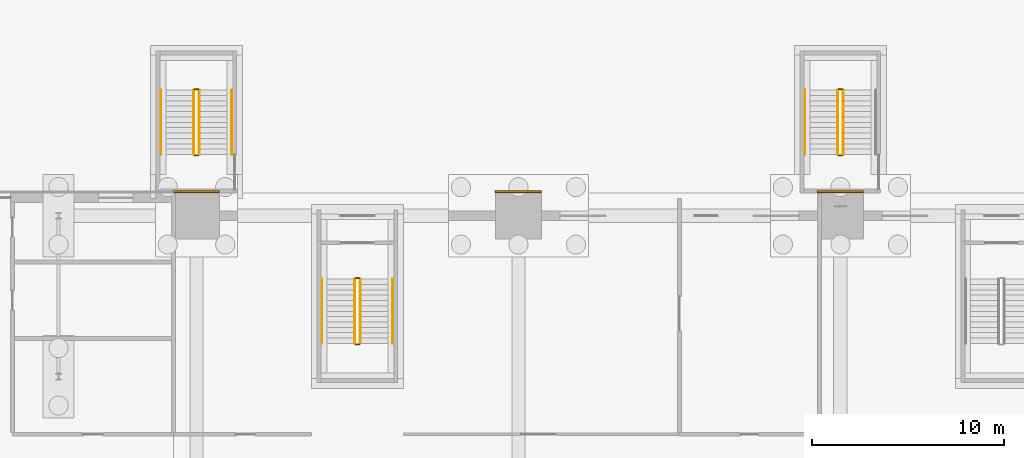
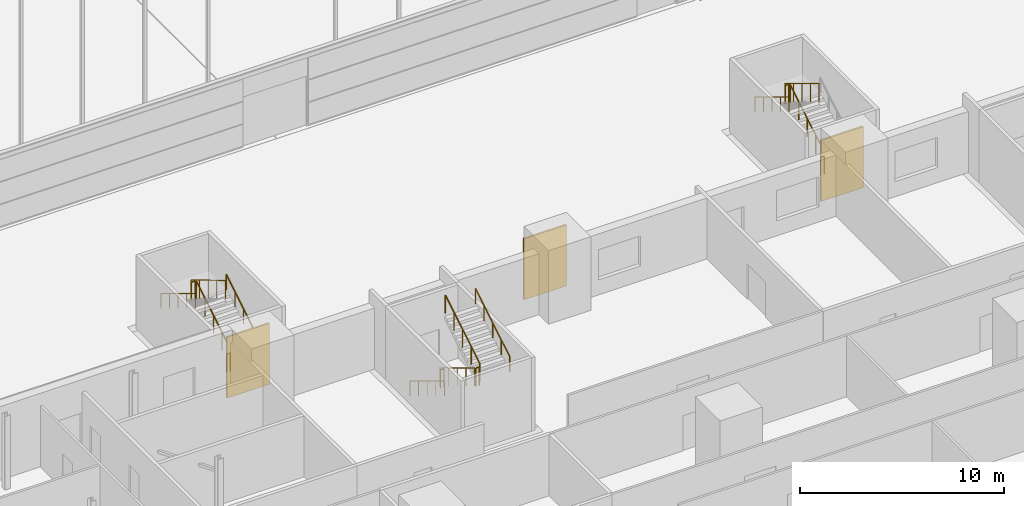
# One storey, part 115 of 139: 17 railings, 3 coverings.
"""IFC4 building model written with IfcOpenShell, lengths in metres."""

from ifc_helpers import new_model, si_unit, direction, frame, origin, origin_2d, place, context, subcontext, project, spatial, rectangle, circle, extrude, material, layer, layer_set, type_object, element, save


model = new_model("IFC4")

# Units and contexts
model_context = context("Model", 3, precision=1e-05, world=origin(), true_north=direction((0.0, 1.0)))
body_context = subcontext(model_context, "Body", "Model", "MODEL_VIEW")
ifc_project = project(units=[si_unit("LENGTHUNIT", "METRE"), si_unit("AREAUNIT", "SQUARE_METRE"), si_unit("VOLUMEUNIT", "CUBIC_METRE"), si_unit("PLANEANGLEUNIT", "RADIAN"), si_unit("MASSUNIT", "GRAM", prefix="KILO")], contexts=[model_context])

# Site, building, storey
site_placement = place(None, origin())
site = spatial("IfcSite", under=ifc_project, at=site_placement, CompositionType="ELEMENT")
building_placement = place(site_placement, origin())
building = spatial("IfcBuilding", under=site, at=building_placement, Name="Verrick Yard Athletic Hall", CompositionType="ELEMENT")
storey_placement = place(building_placement, origin())
storey = spatial("IfcBuildingStorey", under=building, at=storey_placement, Name="L00", CompositionType="ELEMENT", Elevation=0.0)

# Coverings
ifc_material_1 = material(Name="Rusticated limestone cladding", Category="masonry")
ifc_layer = layer(ifc_material_1, 0.10009765625)
ifc_layer_set = layer_set([ifc_layer], Name="Pier base cladding")
covering_type = type_object("IfcCoveringType", Name="Pier base cladding", PredefinedType="CLADDING", material=ifc_layer_set)
for number, where, z_axis, x_axis, name in (
    (1, (40.0, 54.050048828125, 0.0), (0.0, 0.0, 1.0), (1.0, 0.0, 0.0), "Pier base N1"),
    (2, (56.800048828125, 54.050048828125, 0.0), (0.0, 0.0, 1.0), (1.0, 0.0, 0.0), "Pier base N2"),
    (3, (73.60009765625, 54.050048828125, 0.0), (0.0, 0.0, 1.0), (1.0, 0.0, 0.0), "Pier base N3"),
):
    element("IfcCovering", number, at=place(storey_placement, frame(where, z_axis=z_axis, x_axis=x_axis)), inside=storey, type_object=covering_type, Name=name, PredefinedType="CLADDING", context=body_context, shape_type="SweptSolid", body=[
        extrude(rectangle(XDim=2.39990234375, YDim=0.10009765625, at=origin_2d()), origin(), (0.0, 0.0, 1.0), 3.64990234375),
    ])

# Railings
ifc_material_2 = material(Name="Stainless steel", Category="steel")
railing_type_1 = type_object("IfcRailingType", Name="Stair and core guard 1100", PredefinedType="GUARDRAIL", material=ifc_material_2)
railing_1_placement = place(storey_placement, frame((40.14990234375, 56.0, 0.169189453125)))
element("IfcRailing", 4, at=railing_1_placement, inside=storey, type_object=railing_type_1, Name="L00 North deck escape 1 stair guard 1", PredefinedType="GUARDRAIL", context=body_context, shape_type="SweptSolid", body=[
    extrude(circle(Radius=0.02392578125, at=origin_2d()), frame((0.0, 0.0, 1.076171875), z_axis=(0.0, 0.855836976705, 0.517245656632), x_axis=(-1.0, 0.0, 0.0)), (0.0, 0.0, 1.0), 3.926025390625),
    extrude(circle(Radius=0.02099609375, at=origin_2d()), origin(), (0.0, 0.0, 1.0), 1.052001953125),
    extrude(circle(Radius=0.02099609375, at=origin_2d()), frame((0.0, 0.840087890625, 0.5078125)), (0.0, 0.0, 1.0), 1.052001953125),
    extrude(circle(Radius=0.02099609375, at=origin_2d()), frame((0.0, 1.68017578125, 1.015380859375)), (0.0, 0.0, 1.0), 1.052001953125),
    extrude(circle(Radius=0.02099609375, at=origin_2d()), frame((0.0, 2.52001953125, 1.52294921875)), (0.0, 0.0, 1.0), 1.052001953125),
    extrude(circle(Radius=0.02099609375, at=origin_2d()), frame((0.0, 3.360107421875, 2.03076171875)), (0.0, 0.0, 1.0), 1.052001953125),
])
railing_2_placement = place(storey_placement, frame((40.10009765625, 59.409912109375, 2.199951171875)))
element("IfcRailing", 5, at=railing_2_placement, inside=storey, type_object=railing_type_1, Name="L00 North deck escape 1 stair guard 2", PredefinedType="GUARDRAIL", context=body_context, shape_type="SweptSolid", body=[
    extrude(circle(Radius=0.02392578125, at=origin_2d()), frame((0.0, 0.0, 1.076171875), z_axis=(-1.0, 0.0, 0.0), x_axis=(0.0, -1.0, 0.0)), (0.0, 0.0, 1.0), 0.2001953125),
    extrude(circle(Radius=0.02099609375, at=origin_2d()), origin(), (0.0, 0.0, 1.0), 1.052001953125),
    extrude(circle(Radius=0.02099609375, at=origin_2d()), frame((-0.2001953125, 0.0, 0.0)), (0.0, 0.0, 1.0), 1.052001953125),
])
railing_3_placement = place(storey_placement, frame((39.85009765625, 59.360107421875, 2.369140625)))
element("IfcRailing", 6, at=railing_3_placement, inside=storey, type_object=railing_type_1, Name="L00 North deck escape 1 stair guard 3", PredefinedType="GUARDRAIL", context=body_context, shape_type="SweptSolid", body=[
    extrude(circle(Radius=0.02392578125, at=origin_2d()), frame((0.0, 0.0, 1.076171875), z_axis=(0.0, -0.855836976705, 0.517245656632), x_axis=(1.0, 0.0, 0.0)), (0.0, 0.0, 1.0), 3.926025390625),
    extrude(circle(Radius=0.02099609375, at=origin_2d()), origin(), (0.0, 0.0, 1.0), 1.052001953125),
    extrude(circle(Radius=0.02099609375, at=origin_2d()), frame((0.0, -0.840087890625, 0.5078125)), (0.0, 0.0, 1.0), 1.052001953125),
    extrude(circle(Radius=0.02099609375, at=origin_2d()), frame((0.0, -1.68017578125, 1.015380859375)), (0.0, 0.0, 1.0), 1.052001953125),
    extrude(circle(Radius=0.02099609375, at=origin_2d()), frame((0.0, -2.52001953125, 1.52294921875)), (0.0, 0.0, 1.0), 1.052001953125),
    extrude(circle(Radius=0.02099609375, at=origin_2d()), frame((0.0, -3.360107421875, 2.03076171875)), (0.0, 0.0, 1.0), 1.052001953125),
])
railing_4_placement = place(storey_placement, frame((40.10009765625, 55.949951171875, 0.0)))
element("IfcRailing", 7, at=railing_4_placement, inside=storey, type_object=railing_type_1, Name="L00 North deck escape 1 stair guard 4", PredefinedType="GUARDRAIL", context=body_context, shape_type="SweptSolid", body=[
    extrude(circle(Radius=0.02392578125, at=origin_2d()), frame((0.0, 0.0, 1.076171875), z_axis=(-1.0, 0.0, 0.0), x_axis=(0.0, -1.0, 0.0)), (0.0, 0.0, 1.0), 0.2001953125),
    extrude(circle(Radius=0.02099609375, at=origin_2d()), origin(), (0.0, 0.0, 1.0), 1.052001953125),
    extrude(circle(Radius=0.02099609375, at=origin_2d()), frame((-0.2001953125, 0.0, 0.0)), (0.0, 0.0, 1.0), 1.052001953125),
])
railing_5_placement = place(storey_placement, frame((73.75, 56.0, 0.169189453125)))
element("IfcRailing", 8, at=railing_5_placement, inside=storey, type_object=railing_type_1, Name="L00 North deck escape 3 stair guard 1", PredefinedType="GUARDRAIL", context=body_context, shape_type="SweptSolid", body=[
    extrude(circle(Radius=0.02392578125, at=origin_2d()), frame((0.0, 0.0, 1.076171875), z_axis=(0.0, 0.855836976705, 0.517245656632), x_axis=(-1.0, 0.0, 0.0)), (0.0, 0.0, 1.0), 3.926025390625),
    extrude(circle(Radius=0.02099609375, at=origin_2d()), origin(), (0.0, 0.0, 1.0), 1.052001953125),
    extrude(circle(Radius=0.02099609375, at=origin_2d()), frame((0.0, 0.840087890625, 0.5078125)), (0.0, 0.0, 1.0), 1.052001953125),
    extrude(circle(Radius=0.02099609375, at=origin_2d()), frame((0.0, 1.68017578125, 1.015380859375)), (0.0, 0.0, 1.0), 1.052001953125),
    extrude(circle(Radius=0.02099609375, at=origin_2d()), frame((0.0, 2.52001953125, 1.52294921875)), (0.0, 0.0, 1.0), 1.052001953125),
    extrude(circle(Radius=0.02099609375, at=origin_2d()), frame((0.0, 3.360107421875, 2.03076171875)), (0.0, 0.0, 1.0), 1.052001953125),
])
railing_6_placement = place(storey_placement, frame((73.699951171875, 59.409912109375, 2.199951171875)))
element("IfcRailing", 9, at=railing_6_placement, inside=storey, type_object=railing_type_1, Name="L00 North deck escape 3 stair guard 2", PredefinedType="GUARDRAIL", context=body_context, shape_type="SweptSolid", body=[
    extrude(circle(Radius=0.02392578125, at=origin_2d()), frame((0.0, 0.0, 1.076171875), z_axis=(-1.0, 0.0, 0.0), x_axis=(0.0, -1.0, 0.0)), (0.0, 0.0, 1.0), 0.199951171875),
    extrude(circle(Radius=0.02099609375, at=origin_2d()), origin(), (0.0, 0.0, 1.0), 1.052001953125),
    extrude(circle(Radius=0.02099609375, at=origin_2d()), frame((-0.199951171875, 0.0, 0.0)), (0.0, 0.0, 1.0), 1.052001953125),
])
railing_7_placement = place(storey_placement, frame((73.449951171875, 59.360107421875, 2.369140625)))
element("IfcRailing", 10, at=railing_7_placement, inside=storey, type_object=railing_type_1, Name="L00 North deck escape 3 stair guard 3", PredefinedType="GUARDRAIL", context=body_context, shape_type="SweptSolid", body=[
    extrude(circle(Radius=0.02392578125, at=origin_2d()), frame((0.0, 0.0, 1.076171875), z_axis=(0.0, -0.855836976705, 0.517245656632), x_axis=(1.0, 0.0, 0.0)), (0.0, 0.0, 1.0), 3.926025390625),
    extrude(circle(Radius=0.02099609375, at=origin_2d()), origin(), (0.0, 0.0, 1.0), 1.052001953125),
    extrude(circle(Radius=0.02099609375, at=origin_2d()), frame((0.0, -0.840087890625, 0.5078125)), (0.0, 0.0, 1.0), 1.052001953125),
    extrude(circle(Radius=0.02099609375, at=origin_2d()), frame((0.0, -1.68017578125, 1.015380859375)), (0.0, 0.0, 1.0), 1.052001953125),
    extrude(circle(Radius=0.02099609375, at=origin_2d()), frame((0.0, -2.52001953125, 1.52294921875)), (0.0, 0.0, 1.0), 1.052001953125),
    extrude(circle(Radius=0.02099609375, at=origin_2d()), frame((0.0, -3.360107421875, 2.03076171875)), (0.0, 0.0, 1.0), 1.052001953125),
])
railing_8_placement = place(storey_placement, frame((73.699951171875, 55.949951171875, 0.0)))
element("IfcRailing", 11, at=railing_8_placement, inside=storey, type_object=railing_type_1, Name="L00 North deck escape 3 stair guard 4", PredefinedType="GUARDRAIL", context=body_context, shape_type="SweptSolid", body=[
    extrude(circle(Radius=0.02392578125, at=origin_2d()), frame((0.0, 0.0, 1.076171875), z_axis=(-1.0, 0.0, 0.0), x_axis=(0.0, -1.0, 0.0)), (0.0, 0.0, 1.0), 0.199951171875),
    extrude(circle(Radius=0.02099609375, at=origin_2d()), origin(), (0.0, 0.0, 1.0), 1.052001953125),
    extrude(circle(Radius=0.02099609375, at=origin_2d()), frame((-0.199951171875, 0.0, 0.0)), (0.0, 0.0, 1.0), 1.052001953125),
])
railing_9_placement = place(storey_placement, frame((48.25, 49.5, 0.169189453125)))
element("IfcRailing", 12, at=railing_9_placement, inside=storey, type_object=railing_type_1, Name="L00 North plinth exit 1 stair guard 1", PredefinedType="GUARDRAIL", context=body_context, shape_type="SweptSolid", body=[
    extrude(circle(Radius=0.02392578125, at=origin_2d()), frame((0.0, 0.0, 1.076171875), z_axis=(0.0, -0.855836976705, 0.517245656632), x_axis=(1.0, 0.0, 0.0)), (0.0, 0.0, 1.0), 3.926025390625),
    extrude(circle(Radius=0.02099609375, at=origin_2d()), origin(), (0.0, 0.0, 1.0), 1.052001953125),
    extrude(circle(Radius=0.02099609375, at=origin_2d()), frame((0.0, -0.840087890625, 0.5078125)), (0.0, 0.0, 1.0), 1.052001953125),
    extrude(circle(Radius=0.02099609375, at=origin_2d()), frame((0.0, -1.68017578125, 1.015380859375)), (0.0, 0.0, 1.0), 1.052001953125),
    extrude(circle(Radius=0.02099609375, at=origin_2d()), frame((0.0, -2.52001953125, 1.52294921875)), (0.0, 0.0, 1.0), 1.052001953125),
    extrude(circle(Radius=0.02099609375, at=origin_2d()), frame((0.0, -3.360107421875, 2.03076171875)), (0.0, 0.0, 1.0), 1.052001953125),
])
railing_10_placement = place(storey_placement, frame((48.300048828125, 46.090087890625, 2.199951171875)))
element("IfcRailing", 13, at=railing_10_placement, inside=storey, type_object=railing_type_1, Name="L00 North plinth exit 1 stair guard 2", PredefinedType="GUARDRAIL", context=body_context, shape_type="SweptSolid", body=[
    extrude(circle(Radius=0.02392578125, at=origin_2d()), frame((0.0, 0.0, 1.076171875), z_axis=(1.0, 0.0, 0.0), x_axis=(0.0, 1.0, 0.0)), (0.0, 0.0, 1.0), 0.199951171875),
    extrude(circle(Radius=0.02099609375, at=origin_2d()), origin(), (0.0, 0.0, 1.0), 1.052001953125),
    extrude(circle(Radius=0.02099609375, at=origin_2d()), frame((0.199951171875, 0.0, 0.0)), (0.0, 0.0, 1.0), 1.052001953125),
])
railing_11_placement = place(storey_placement, frame((48.550048828125, 46.139892578125, 2.369140625)))
element("IfcRailing", 14, at=railing_11_placement, inside=storey, type_object=railing_type_1, Name="L00 North plinth exit 1 stair guard 3", PredefinedType="GUARDRAIL", context=body_context, shape_type="SweptSolid", body=[
    extrude(circle(Radius=0.02392578125, at=origin_2d()), frame((0.0, 0.0, 1.076171875), z_axis=(0.0, 0.855836976705, 0.517245656632), x_axis=(-1.0, 0.0, 0.0)), (0.0, 0.0, 1.0), 3.926025390625),
    extrude(circle(Radius=0.02099609375, at=origin_2d()), origin(), (0.0, 0.0, 1.0), 1.052001953125),
    extrude(circle(Radius=0.02099609375, at=origin_2d()), frame((0.0, 0.840087890625, 0.5078125)), (0.0, 0.0, 1.0), 1.052001953125),
    extrude(circle(Radius=0.02099609375, at=origin_2d()), frame((0.0, 1.68017578125, 1.015380859375)), (0.0, 0.0, 1.0), 1.052001953125),
    extrude(circle(Radius=0.02099609375, at=origin_2d()), frame((0.0, 2.52001953125, 1.52294921875)), (0.0, 0.0, 1.0), 1.052001953125),
    extrude(circle(Radius=0.02099609375, at=origin_2d()), frame((0.0, 3.360107421875, 2.03076171875)), (0.0, 0.0, 1.0), 1.052001953125),
])
railing_12_placement = place(storey_placement, frame((48.300048828125, 49.550048828125, 0.0)))
element("IfcRailing", 15, at=railing_12_placement, inside=storey, type_object=railing_type_1, Name="L00 North plinth exit 1 stair guard 4", PredefinedType="GUARDRAIL", context=body_context, shape_type="SweptSolid", body=[
    extrude(circle(Radius=0.02392578125, at=origin_2d()), frame((0.0, 0.0, 1.076171875), z_axis=(1.0, 0.0, 0.0), x_axis=(0.0, 1.0, 0.0)), (0.0, 0.0, 1.0), 0.199951171875),
    extrude(circle(Radius=0.02099609375, at=origin_2d()), origin(), (0.0, 0.0, 1.0), 1.052001953125),
    extrude(circle(Radius=0.02099609375, at=origin_2d()), frame((0.199951171875, 0.0, 0.0)), (0.0, 0.0, 1.0), 1.052001953125),
])
railing_type_2 = type_object("IfcRailingType", Name="Stair handrail 900", PredefinedType="HANDRAIL", material=ifc_material_2)
railing_13_placement = place(storey_placement, frame((41.85009765625, 56.0, 0.169189453125)))
element("IfcRailing", 16, at=railing_13_placement, inside=storey, type_object=railing_type_2, Name="L00 North deck escape 1 stair handrail 1", PredefinedType="HANDRAIL", context=body_context, shape_type="SweptSolid", body=[
    extrude(circle(Radius=0.02392578125, at=origin_2d()), frame((0.0, 0.0, 0.8759765625), z_axis=(0.0, 0.855836976705, 0.517245656632), x_axis=(-1.0, 0.0, 0.0)), (0.0, 0.0, 1.0), 3.926025390625),
    extrude(circle(Radius=0.02099609375, at=origin_2d()), origin(), (0.0, 0.0, 1.0), 0.851806640625),
    extrude(circle(Radius=0.02099609375, at=origin_2d()), frame((0.0, 0.840087890625, 0.5078125)), (0.0, 0.0, 1.0), 0.851806640625),
    extrude(circle(Radius=0.02099609375, at=origin_2d()), frame((0.0, 1.68017578125, 1.015380859375)), (0.0, 0.0, 1.0), 0.851806640625),
    extrude(circle(Radius=0.02099609375, at=origin_2d()), frame((0.0, 2.52001953125, 1.52294921875)), (0.0, 0.0, 1.0), 0.851806640625),
    extrude(circle(Radius=0.02099609375, at=origin_2d()), frame((0.0, 3.360107421875, 2.03076171875)), (0.0, 0.0, 1.0), 0.851806640625),
])
for number, where, name in (
    (17, (38.14990234375, 59.360107421875, 2.369140625), "L00 North deck escape 1 stair handrail 2"),
    (18, (71.75, 59.360107421875, 2.369140625), "L00 North deck escape 3 stair handrail 2"),
    (19, (46.550048828125, 49.5, 0.169189453125), "L00 North plinth exit 1 stair handrail 1"),
):
    element("IfcRailing", number, at=place(storey_placement, frame(where)), inside=storey, type_object=railing_type_2, Name=name, PredefinedType="HANDRAIL", context=body_context, shape_type="SweptSolid", body=[
        extrude(circle(Radius=0.02392578125, at=origin_2d()), frame((0.0, 0.0, 0.8759765625), z_axis=(0.0, -0.855836976705, 0.517245656632), x_axis=(1.0, 0.0, 0.0)), (0.0, 0.0, 1.0), 3.926025390625),
        extrude(circle(Radius=0.02099609375, at=origin_2d()), origin(), (0.0, 0.0, 1.0), 0.851806640625),
        extrude(circle(Radius=0.02099609375, at=origin_2d()), frame((0.0, -0.840087890625, 0.5078125)), (0.0, 0.0, 1.0), 0.851806640625),
        extrude(circle(Radius=0.02099609375, at=origin_2d()), frame((0.0, -1.68017578125, 1.015380859375)), (0.0, 0.0, 1.0), 0.851806640625),
        extrude(circle(Radius=0.02099609375, at=origin_2d()), frame((0.0, -2.52001953125, 1.52294921875)), (0.0, 0.0, 1.0), 0.851806640625),
        extrude(circle(Radius=0.02099609375, at=origin_2d()), frame((0.0, -3.360107421875, 2.03076171875)), (0.0, 0.0, 1.0), 0.851806640625),
    ])
railing_14_placement = place(storey_placement, frame((50.25, 46.139892578125, 2.369140625)))
element("IfcRailing", 20, at=railing_14_placement, inside=storey, type_object=railing_type_2, Name="L00 North plinth exit 1 stair handrail 2", PredefinedType="HANDRAIL", context=body_context, shape_type="SweptSolid", body=[
    extrude(circle(Radius=0.02392578125, at=origin_2d()), frame((0.0, 0.0, 0.8759765625), z_axis=(0.0, 0.855836976705, 0.517245656632), x_axis=(-1.0, 0.0, 0.0)), (0.0, 0.0, 1.0), 3.926025390625),
    extrude(circle(Radius=0.02099609375, at=origin_2d()), origin(), (0.0, 0.0, 1.0), 0.851806640625),
    extrude(circle(Radius=0.02099609375, at=origin_2d()), frame((0.0, 0.840087890625, 0.5078125)), (0.0, 0.0, 1.0), 0.851806640625),
    extrude(circle(Radius=0.02099609375, at=origin_2d()), frame((0.0, 1.68017578125, 1.015380859375)), (0.0, 0.0, 1.0), 0.851806640625),
    extrude(circle(Radius=0.02099609375, at=origin_2d()), frame((0.0, 2.52001953125, 1.52294921875)), (0.0, 0.0, 1.0), 0.851806640625),
    extrude(circle(Radius=0.02099609375, at=origin_2d()), frame((0.0, 3.360107421875, 2.03076171875)), (0.0, 0.0, 1.0), 0.851806640625),
])

save(model, "model.ifc")
